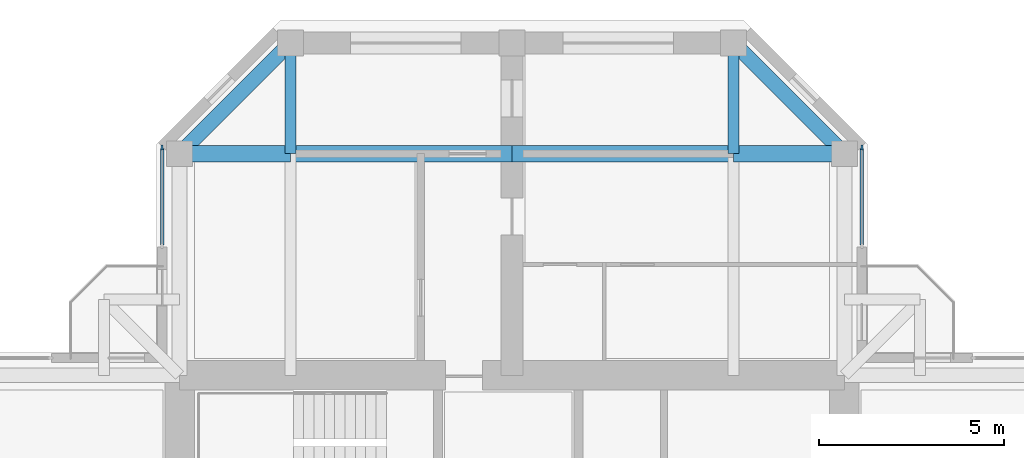
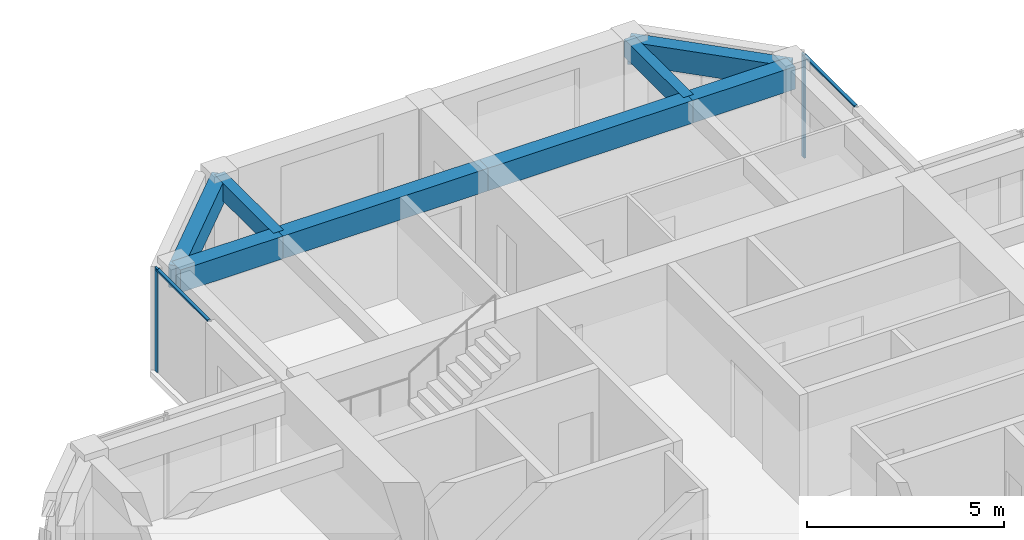
# One storey, part 6 of 13: 8 beams, 4 members, 2 elements without a shape of their own.
"""IFC4 building model written with IfcOpenShell, lengths in metres."""

from ifc_helpers import new_model, si_unit, direction, frame, origin, origin_2d, place, context, subcontext, project, spatial, rectangle, extrude, material, material_profile, profile_set, type_object, element, aggregate, save


model = new_model("IFC4")

# Units and contexts
model_context = context("Model", 3, precision=1e-05, world=origin(), true_north=direction((0.0, 1.0)))
body_context = subcontext(model_context, "Body", "Model", "MODEL_VIEW")
ifc_project = project(units=[si_unit("LENGTHUNIT", "METRE"), si_unit("AREAUNIT", "SQUARE_METRE"), si_unit("VOLUMEUNIT", "CUBIC_METRE"), si_unit("PLANEANGLEUNIT", "RADIAN"), si_unit("MASSUNIT", "GRAM", prefix="KILO")], contexts=[model_context])

# Site, building, storey
site_placement = place(None, origin())
site = spatial("IfcSite", under=ifc_project, at=site_placement, CompositionType="ELEMENT")
building_placement = place(site_placement, origin())
building = spatial("IfcBuilding", under=site, at=building_placement, Name="Torre Cruceta", CompositionType="ELEMENT")
storey_placement = place(building_placement, frame((0.0, 0.0, 284.89990234375)))
storey = spatial("IfcBuildingStorey", under=building, at=storey_placement, Name="L74", CompositionType="ELEMENT", Elevation=284.89990234375)

# Beams
ifc_material_1 = material(Name="Concrete G60 (fck 60 MPa)", Category="concrete")
ifc_material_profile_1 = material_profile(ifc_material_1, rectangle(XDim=0.300048828125, YDim=0.550048828125, at=origin_2d()), Name="RC 300X550")
ifc_profile_set_1 = profile_set([ifc_material_profile_1], Name="Concrete G60 (fck 60 MPa)")
beam_type_1 = type_object("IfcBeamType", Name="COLUMN LINE BEAM RC 300X550", PredefinedType="BEAM", material=ifc_profile_set_1)
for number, where, z_axis, x_axis, name in (
    (1, (6.0, 15.0, 2.925048828125), (0.0, 1.0, 0.0), (-1.0, 0.0, 0.0), "LB10 L74 N col- 2"),
    (2, (-6.0, 15.0, 2.925048828125), (0.0, 1.0, 0.0), (-1.0, 0.0, 0.0), "LB10 L74 N col+ 2"),
):
    element("IfcBeam", number, at=place(storey_placement, frame(where, z_axis=z_axis, x_axis=x_axis)), inside=storey, type_object=beam_type_1, Name=name, PredefinedType="BEAM", context=body_context, shape_type="SweptSolid", body=[
        extrude(rectangle(XDim=0.300048828125, YDim=0.550048828125, at=origin_2d()), origin(), (0.0, 0.0, 1.0), 3.0),
    ])
ifc_material_2 = material(Name="Concrete G60 (fck 60 MPa)", Category="concrete")
ifc_material_profile_2 = material_profile(ifc_material_2, rectangle(XDim=0.449951171875, YDim=0.699951171875, at=origin_2d()), Name="RC 450X700")
ifc_profile_set_2 = profile_set([ifc_material_profile_2], Name="Concrete G60 (fck 60 MPa)")
beam_type_2 = type_object("IfcBeamType", Name="CROSS BEAM RC 450X700", PredefinedType="BEAM", material=ifc_profile_set_2)
beam_1_placement = place(storey_placement, frame((9.0, 15.0, 2.85009765625), z_axis=(-1.0, 0.0, 0.0), x_axis=(0.0, -1.0, 0.0)))
element("IfcBeam", 3, at=beam_1_placement, inside=storey, type_object=beam_type_2, Name="GB8 L74 N cross15 1", PredefinedType="BEAM", context=body_context, shape_type="SweptSolid", body=[
    extrude(rectangle(XDim=0.449951171875, YDim=0.699951171875, at=origin_2d()), origin(), (0.0, 0.0, 1.0), 3.0),
])
for number, where, z_axis, x_axis, name in (
    (4, (6.0, 15.0, 2.85009765625), (-1.0, 0.0, 0.0), (0.0, -1.0, 0.0), "GB8 L74 N cross15 2"),
    (5, (0.0, 15.0, 2.85009765625), (-1.0, 0.0, 0.0), (0.0, -1.0, 0.0), "GB8 L74 N cross15 3"),
):
    element("IfcBeam", number, at=place(storey_placement, frame(where, z_axis=z_axis, x_axis=x_axis)), inside=storey, type_object=beam_type_2, Name=name, PredefinedType="BEAM", context=body_context, shape_type="SweptSolid", body=[
        extrude(rectangle(XDim=0.449951171875, YDim=0.699951171875, at=origin_2d()), origin(), (0.0, 0.0, 1.0), 6.0),
    ])
beam_2_placement = place(storey_placement, frame((-6.0, 15.0, 2.85009765625), z_axis=(-1.0, 0.0, 0.0), x_axis=(0.0, -1.0, 0.0)))
element("IfcBeam", 6, at=beam_2_placement, inside=storey, type_object=beam_type_2, Name="GB8 L74 N cross15 4", PredefinedType="BEAM", context=body_context, shape_type="SweptSolid", body=[
    extrude(rectangle(XDim=0.449951171875, YDim=0.699951171875, at=origin_2d()), origin(), (0.0, 0.0, 1.0), 3.0),
])

# Curtain wall, member
ifc_material_3 = material(Name="Aluminium unitised curtain wall", Category="aluminium")
curtain_wall_type = type_object("IfcCurtainWallType", Name="CURTAIN WALL CW-E CO-LIVING TOP", PredefinedType="USERDEFINED", material=ifc_material_3)
curtain_wall_1_placement = place(storey_placement, origin())
curtain_wall_1 = element("IfcCurtainWall", 7, at=curtain_wall_1_placement, inside=storey, type_object=curtain_wall_type, Name="CW-E L74 N side 05", ObjectType="UNITISED", PredefinedType="USERDEFINED")
ifc_material_4 = material(Name="Aluminium mullion", Category="aluminium")
ifc_material_profile_3 = material_profile(ifc_material_4, rectangle(XDim=0.054931640625, YDim=0.139892578125, at=origin_2d()), Name="AL 55X140")
ifc_profile_set_3 = profile_set([ifc_material_profile_3], Name="Aluminium mullion")
member_type_1 = type_object("IfcMemberType", Name="CW-E MULLION 55X140", PredefinedType="MULLION", material=ifc_profile_set_3)
member_1_placement = place(storey_placement, frame((9.469970703125, 15.167236328125, 0.0), z_axis=(0.0, 0.0, 1.0), x_axis=(-1.0, 0.0, 0.0)))
member_1 = element("IfcMember", 8, at=member_1_placement, type_object=member_type_1, Name="CW-E mullion 2", PredefinedType="MULLION", context=body_context, shape_type="SweptSolid", body=[
    extrude(rectangle(XDim=0.054931640625, YDim=0.139892578125, at=origin_2d()), origin(), (0.0, 0.0, 1.0), 3.2001953125),
])

curtain_wall_2_placement = place(storey_placement, origin())
curtain_wall_2 = element("IfcCurtainWall", 9, at=curtain_wall_2_placement, inside=storey, type_object=curtain_wall_type, Name="CW-E L74 N side 09", ObjectType="UNITISED", PredefinedType="USERDEFINED")
member_2_placement = place(storey_placement, frame((-9.469970703125, 15.167236328125, 0.0), z_axis=(0.0, 0.0, 1.0), x_axis=(1.0, 0.0, 0.0)))
member_2 = element("IfcMember", 10, at=member_2_placement, type_object=member_type_1, Name="CW-E mullion 1", PredefinedType="MULLION", context=body_context, shape_type="SweptSolid", body=[
    extrude(rectangle(XDim=0.054931640625, YDim=0.139892578125, at=origin_2d()), origin(), (0.0, 0.0, 1.0), 3.2001953125),
])

# Member
ifc_material_5 = material(Name="Aluminium transom", Category="aluminium")
ifc_material_profile_4 = material_profile(ifc_material_5, rectangle(XDim=0.090087890625, YDim=0.054931640625, at=origin_2d()), Name="AL 90X55")
ifc_profile_set_4 = profile_set([ifc_material_profile_4], Name="Aluminium transom")
member_type_2 = type_object("IfcMemberType", Name="CW-E TRANSOM 55X90", PredefinedType="USERDEFINED", material=ifc_profile_set_4)
member_3_placement = place(storey_placement, frame((9.469970703125, 12.52490234375, 3.172607421875), z_axis=(0.0, 1.0, 0.0), x_axis=(-1.0, 0.0, 0.0)))
member_3 = element("IfcMember", 11, at=member_3_placement, type_object=member_type_2, Name="CW-E transom 1", ObjectType="TRANSOM", PredefinedType="USERDEFINED", context=body_context, shape_type="SweptSolid", body=[
    extrude(rectangle(XDim=0.090087890625, YDim=0.054931640625, at=origin_2d()), origin(), (0.0, 0.0, 1.0), 2.61474609375),
])

aggregate(curtain_wall_1, [member_1, member_3])

member_4_placement = place(storey_placement, frame((-9.469970703125, 15.1396484375, 3.172607421875), z_axis=(0.0, -1.0, 0.0), x_axis=(1.0, 0.0, 0.0)))
member_4 = element("IfcMember", 12, at=member_4_placement, type_object=member_type_2, Name="CW-E transom 1", ObjectType="TRANSOM", PredefinedType="USERDEFINED", context=body_context, shape_type="SweptSolid", body=[
    extrude(rectangle(XDim=0.090087890625, YDim=0.054931640625, at=origin_2d()), origin(), (0.0, 0.0, 1.0), 2.61474609375),
])

aggregate(curtain_wall_2, [member_2, member_4])

# Beams
ifc_material_6 = material(Name="Concrete G60 (fck 60 MPa)", Category="concrete")
ifc_material_profile_5 = material_profile(ifc_material_6, rectangle(XDim=0.39990234375, YDim=0.699951171875, at=origin_2d()), Name="RC 400X700")
ifc_profile_set_5 = profile_set([ifc_material_profile_5], Name="Concrete G60 (fck 60 MPa)")
beam_type_3 = type_object("IfcBeamType", Name="SPANDREL BEAM RC 400X700", PredefinedType="SPANDREL", material=ifc_profile_set_5)
for number, where, z_axis, x_axis, name in (
    (13, (9.0, 15.0, 2.85009765625), (-0.707106781187, 0.707106781187, 0.0), (-0.707106781187, -0.707106781187, 0.0), "SB8 L74 N side- 2"),
    (14, (-9.0, 15.0, 2.85009765625), (0.707106781187, 0.707106781187, 0.0), (-0.707106781187, 0.707106781187, 0.0), "SB8 L74 N side+ 2"),
):
    element("IfcBeam", number, at=place(storey_placement, frame(where, z_axis=z_axis, x_axis=x_axis)), inside=storey, type_object=beam_type_3, Name=name, PredefinedType="SPANDREL", context=body_context, shape_type="SweptSolid", body=[
        extrude(rectangle(XDim=0.39990234375, YDim=0.699951171875, at=origin_2d()), origin(), (0.0, 0.0, 1.0), 4.24267578125),
    ])

save(model, "model.ifc")
